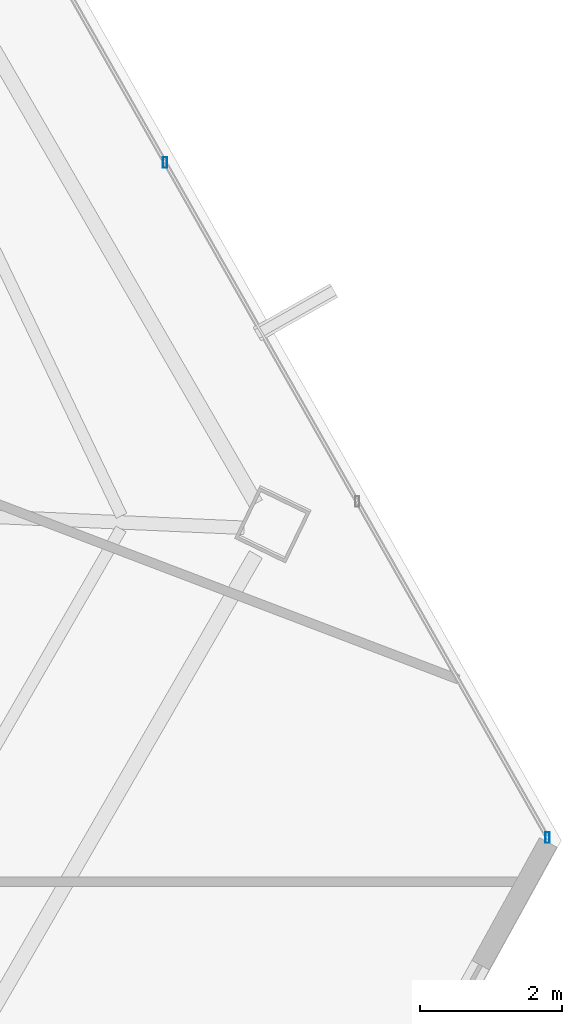
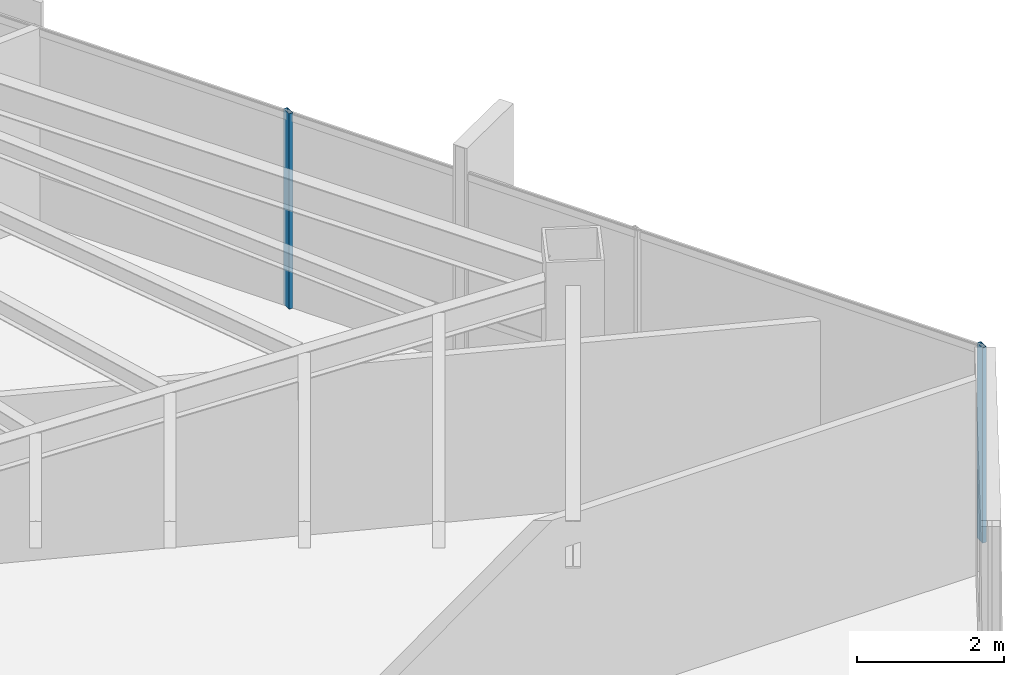
# One storey, part 24 of 40: 2 members, 1 element without a shape of its own.
"""IFC4 building model written with IfcOpenShell, lengths in metres."""

from ifc_helpers import new_model, si_unit, direction, frame, origin, origin_2d, place, context, subcontext, project, spatial, hollow_rectangle, extrude, source, transform, mapped, material, material_profile, profile_set, type_object, type_shapes, element, aggregate, save


model = new_model("IFC4")

# Units and contexts
model_context = context("Model", 3, precision=1e-05, world=origin(), true_north=direction((0.0, 1.0)))
body_context = subcontext(model_context, "Body", "Model", "MODEL_VIEW")
ifc_project = project(units=[si_unit("LENGTHUNIT", "METRE"), si_unit("AREAUNIT", "SQUARE_METRE"), si_unit("VOLUMEUNIT", "CUBIC_METRE"), si_unit("PLANEANGLEUNIT", "RADIAN"), si_unit("MASSUNIT", "GRAM", prefix="KILO")], contexts=[model_context])

# Site, building, storey
site_placement = place(None, origin())
site = spatial("IfcSite", under=ifc_project, at=site_placement, CompositionType="ELEMENT")
building_placement = place(site_placement, origin())
building = spatial("IfcBuilding", under=site, at=building_placement, Name="Caelisora Broadcast Tower", CompositionType="ELEMENT")
storey_placement = place(building_placement, frame((0.0, 0.0, 216.89990234375)))
storey = spatial("IfcBuildingStorey", under=building, at=storey_placement, Name="L57", CompositionType="ELEMENT", Elevation=216.89990234375)

# Curtain wall, members
ifc_material_1 = material(Name="Unitised Aluminium and Low-E Glass Curtain Wall", Category="glass")
curtain_wall_type = type_object("IfcCurtainWallType", Name="CW-Z4", PredefinedType="NOTDEFINED", material=ifc_material_1)
curtain_wall_placement = place(storey_placement, origin())
curtain_wall = element("IfcCurtainWall", 1, at=curtain_wall_placement, inside=storey, type_object=curtain_wall_type, Name="L57 curtain wall CW-Z4", PredefinedType="NOTDEFINED")
ifc_material_2 = material(Name="Aluminium 6063-T6 Anodised Terracotta Bronze", Category="aluminium")
ifc_material_profile = material_profile(ifc_material_2, hollow_rectangle(XDim=0.06005859375, YDim=0.14990234375, WallThickness=0.00341796875, at=origin_2d()), Name="Aluminium 6063-T6 Anodised Terracotta Bronze")
ifc_profile_set = profile_set([ifc_material_profile], Name="Aluminium 6063-T6 Anodised Terracotta Bronze")
member_type = type_object("IfcMemberType", Name="CWM-03", PredefinedType="MULLION", material=ifc_profile_set)
shared_shape = source(origin(), body_context, "Body", "SweptSolid", [
    extrude(hollow_rectangle(XDim=0.06005859375, YDim=0.14990234375, WallThickness=0.00341796875, at=origin_2d()), origin(), (0.0, 0.0, 1.0), 3.25),
])
type_shapes(member_type, [shared_shape])
member_1_placement = place(storey_placement, frame((58.441650390625, 21.94580078125, 0.0), z_axis=(0.0, 0.0, 1.0), x_axis=(1.0, 0.0, 0.0)))
member_1 = element("IfcMember", 2, at=member_1_placement, type_object=member_type, Name="L57-CW-B03 mullion #1", PredefinedType="MULLION", context=body_context, shape_type="MappedRepresentation", body=[
    mapped(shared_shape, transform((0.0, 0.0, 0.0), scale=1.0)),
])
member_2_placement = place(storey_placement, frame((63.846435546875, 12.405517578125, 0.0), z_axis=(0.0, 0.0, 1.0), x_axis=(1.0, 0.0, 0.0)))
member_2 = element("IfcMember", 3, at=member_2_placement, type_object=member_type, Name="L57-CW-B03 mullion #3", PredefinedType="MULLION", context=body_context, shape_type="MappedRepresentation", body=[
    mapped(shared_shape, transform((0.0, 0.0, 0.0), scale=1.0)),
])
aggregate(curtain_wall, [member_1, member_2])

save(model, "model.ifc")
